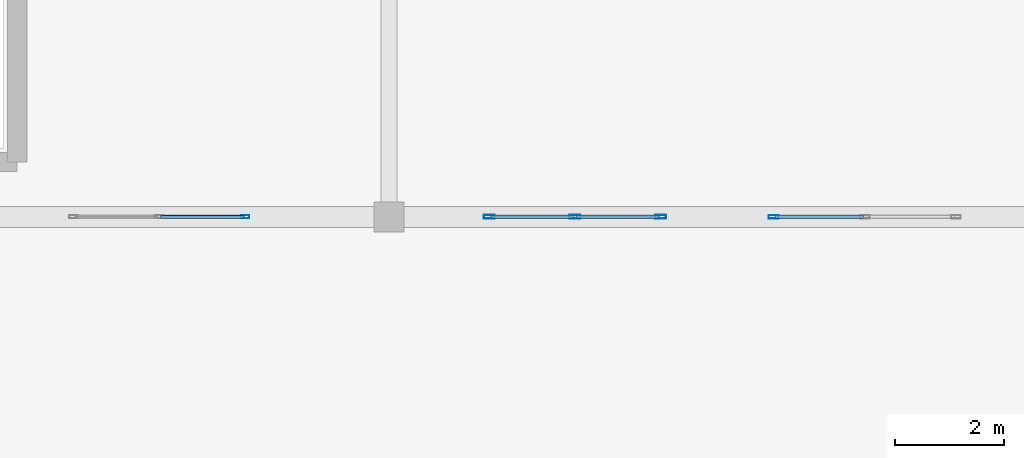
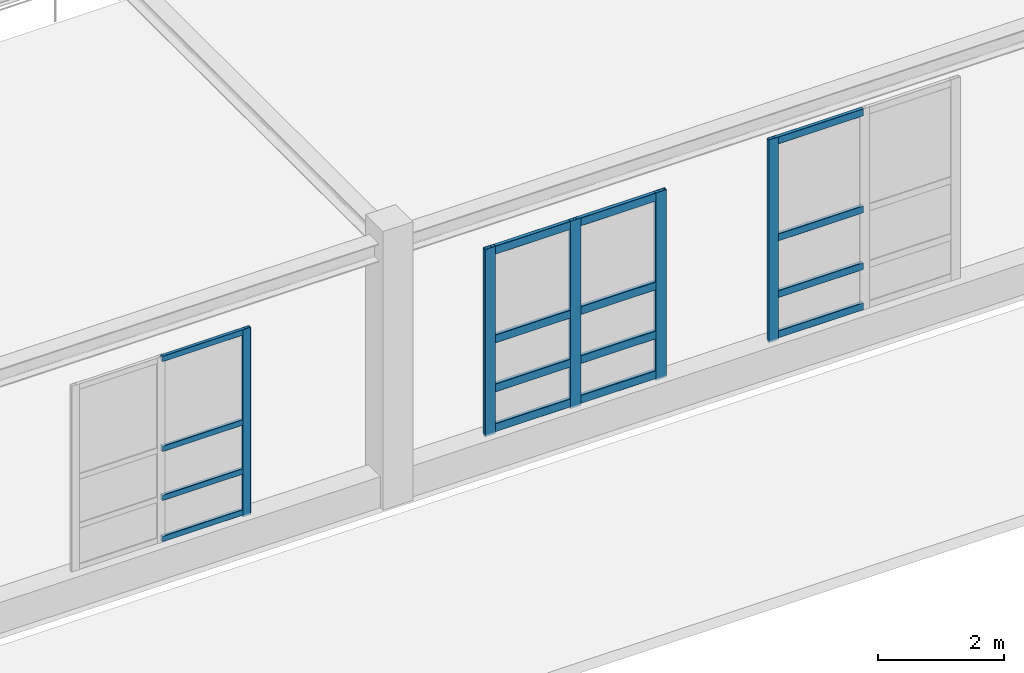
# One storey, part 48 of 197: 21 members, 3 elements without a shape of their own.
"""IFC4 building model written with IfcOpenShell, lengths in metres."""

from ifc_helpers import new_model, si_unit, derived_unit, direction, frame, origin, origin_2d, place, context, subcontext, project, spatial, hollow_rectangle, extrude, material, layer, layer_set, material_profile, profile_set, type_object, element, aggregate, save


model = new_model("IFC4")

# Units and contexts
model_context = context("Model", 3, precision=1e-05, world=origin(), true_north=direction((0.0, 1.0)))
body_context = subcontext(model_context, "Body", "Model", "MODEL_VIEW")
ifc_project = project(units=[si_unit("LENGTHUNIT", "METRE"), si_unit("AREAUNIT", "SQUARE_METRE"), si_unit("VOLUMEUNIT", "CUBIC_METRE"), si_unit("PLANEANGLEUNIT", "RADIAN"), si_unit("MASSUNIT", "GRAM", prefix="KILO"), derived_unit("THERMALTRANSMITTANCEUNIT", [(si_unit("POWERUNIT", "WATT"), 1), (si_unit("LENGTHUNIT", "METRE"), -2), (si_unit("THERMODYNAMICTEMPERATUREUNIT", "KELVIN"), -1)])], contexts=[model_context])

# Site, building, storey
site_placement = place(None, origin())
site = spatial("IfcSite", under=ifc_project, at=site_placement, CompositionType="ELEMENT")
building_placement = place(site_placement, origin())
building = spatial("IfcBuilding", under=site, at=building_placement, Name="Almenara Railside Exhibition Hall", CompositionType="ELEMENT")
storey_placement = place(building_placement, frame((0.0, 0.0, 5.39990234375)))
storey = spatial("IfcBuildingStorey", under=building, at=storey_placement, Name="L01", CompositionType="ELEMENT", Elevation=5.39990234375)

# Curtain wall, member
ifc_material_1 = material(Name="Bronze-anodised aluminium and low-E double glazing", Category="aluminium")
ifc_layer_1 = layer(ifc_material_1, 0.179931640625, Name="Bronze-anodised aluminium and low-E double glazing")
ifc_layer_set_1 = layer_set([ifc_layer_1], Name="Bronze-anodised aluminium and low-E double glazing")
curtain_wall_type_1 = type_object("IfcCurtainWallType", Name="Concourse Bridge Curtain Wall 3200x3600", PredefinedType="NOTDEFINED", material=ifc_layer_set_1)
curtain_wall_1_placement = place(storey_placement, origin())
curtain_wall_1 = element("IfcCurtainWall", 1, at=curtain_wall_1_placement, inside=storey, type_object=curtain_wall_type_1, Name="Curtain wall CW-PC3-121", PredefinedType="NOTDEFINED")
ifc_material_2 = material(Name="Bronze-anodised aluminium", Category="aluminium")
ifc_material_profile_1 = material_profile(ifc_material_2, hollow_rectangle(XDim=0.06005859375, YDim=0.14990234375, WallThickness=0.00341796875, InnerFilletRadius=0.00341796875, OuterFilletRadius=0.007080078125, at=origin_2d()), Name="ALU-MUL 60x150x3.5")
ifc_profile_set_1 = profile_set([ifc_material_profile_1], Name="Bronze-anodised aluminium")
member_type_1 = type_object("IfcMemberType", Name="Curtain Wall Mullion 60x150x3.5", PredefinedType="MULLION", material=ifc_profile_set_1)
member_1_placement = place(storey_placement, frame((81.3701171875, 36.0, 0.565185546875), z_axis=(0.0, 0.0, 1.0), x_axis=(0.0, 1.0, 0.0)))
member_1 = element("IfcMember", 2, at=member_1_placement, type_object=member_type_1, Name="CW-PC3-121 mullion 3", PredefinedType="MULLION", context=body_context, shape_type="SweptSolid", body=[
    extrude(hollow_rectangle(XDim=0.06005859375, YDim=0.14990234375, WallThickness=0.00341796875, InnerFilletRadius=0.00341796875, OuterFilletRadius=0.007080078125, at=origin_2d()), origin(), (0.0, 0.0, 1.0), 3.635009765625),
])

ifc_layer_2 = layer(ifc_material_1, 0.179931640625, Name="Bronze-anodised aluminium and low-E double glazing")
ifc_layer_set_2 = layer_set([ifc_layer_2], Name="Bronze-anodised aluminium and low-E double glazing")
curtain_wall_type_2 = type_object("IfcCurtainWallType", Name="Concourse Upper Portale Curtain Wall 3400x3900", PredefinedType="NOTDEFINED", material=ifc_layer_set_2)
curtain_wall_2_placement = place(storey_placement, origin())
curtain_wall_2 = element("IfcCurtainWall", 3, at=curtain_wall_2_placement, inside=storey, type_object=curtain_wall_type_2, Name="Curtain wall CW-PC2-128", PredefinedType="NOTDEFINED")
ifc_material_profile_2 = material_profile(ifc_material_2, hollow_rectangle(XDim=0.06494140625, YDim=0.179931640625, WallThickness=0.00390625, InnerFilletRadius=0.00390625, OuterFilletRadius=0.008056640625, at=origin_2d()), Name="ALU-MUL 65x180x4")
ifc_profile_set_2 = profile_set([ifc_material_profile_2], Name="Bronze-anodised aluminium")
member_type_2 = type_object("IfcMemberType", Name="Curtain Wall Mullion 65x180x4", PredefinedType="MULLION", material=ifc_profile_set_2)
member_2_placement = place(storey_placement, frame((91.032470703125, 36.0, 0.565185546875), z_axis=(0.0, 0.0, 1.0), x_axis=(0.0, 1.0, 0.0)))
member_2 = element("IfcMember", 4, at=member_2_placement, type_object=member_type_2, Name="CW-PC2-128 mullion 1", PredefinedType="MULLION", context=body_context, shape_type="SweptSolid", body=[
    extrude(hollow_rectangle(XDim=0.06494140625, YDim=0.179931640625, WallThickness=0.00390625, InnerFilletRadius=0.00390625, OuterFilletRadius=0.008056640625, at=origin_2d()), origin(), (0.0, 0.0, 1.0), 3.934814453125),
])

# Curtain wall, members
curtain_wall_3_placement = place(storey_placement, origin())
curtain_wall_3 = element("IfcCurtainWall", 5, at=curtain_wall_3_placement, inside=storey, type_object=curtain_wall_type_1, Name="Curtain wall CW-PC3-127", PredefinedType="NOTDEFINED")
ifc_material_profile_3 = material_profile(ifc_material_2, hollow_rectangle(XDim=0.070068359375, YDim=0.199951171875, WallThickness=0.00439453125, InnerFilletRadius=0.00439453125, OuterFilletRadius=0.009033203125, at=origin_2d()), Name="ALU-MUL 70x200x4.5")
ifc_profile_set_3 = profile_set([ifc_material_profile_3], Name="Bronze-anodised aluminium")
member_type_3 = type_object("IfcMemberType", Name="Curtain Wall Mullion 70x200x4.5", PredefinedType="MULLION", material=ifc_profile_set_3)
member_3_placement = place(storey_placement, frame((85.8349609375, 36.0, 0.565185546875), z_axis=(0.0, 0.0, 1.0), x_axis=(0.0, 1.0, 0.0)))
member_3 = element("IfcMember", 6, at=member_3_placement, type_object=member_type_3, Name="CW-PC3-127 mullion 1", PredefinedType="MULLION", context=body_context, shape_type="SweptSolid", body=[
    extrude(hollow_rectangle(XDim=0.070068359375, YDim=0.199951171875, WallThickness=0.00439453125, InnerFilletRadius=0.00439453125, OuterFilletRadius=0.009033203125, at=origin_2d()), origin(), (0.0, 0.0, 1.0), 3.635009765625),
])
member_4_placement = place(storey_placement, frame((87.39990234375, 36.0, 0.565185546875), z_axis=(0.0, 0.0, 1.0), x_axis=(0.0, 1.0, 0.0)))
member_4 = element("IfcMember", 7, at=member_4_placement, type_object=member_type_3, Name="CW-PC3-127 mullion 2", PredefinedType="MULLION", context=body_context, shape_type="SweptSolid", body=[
    extrude(hollow_rectangle(XDim=0.070068359375, YDim=0.199951171875, WallThickness=0.00439453125, InnerFilletRadius=0.00439453125, OuterFilletRadius=0.009033203125, at=origin_2d()), origin(), (0.0, 0.0, 1.0), 3.635009765625),
])
member_5_placement = place(storey_placement, frame((88.965087890625, 36.0, 0.565185546875), z_axis=(0.0, 0.0, 1.0), x_axis=(0.0, 1.0, 0.0)))
member_5 = element("IfcMember", 8, at=member_5_placement, type_object=member_type_3, Name="CW-PC3-127 mullion 3", PredefinedType="MULLION", context=body_context, shape_type="SweptSolid", body=[
    extrude(hollow_rectangle(XDim=0.070068359375, YDim=0.199951171875, WallThickness=0.00439453125, InnerFilletRadius=0.00439453125, OuterFilletRadius=0.009033203125, at=origin_2d()), origin(), (0.0, 0.0, 1.0), 3.635009765625),
])

# Member
ifc_material_profile_4 = material_profile(ifc_material_2, hollow_rectangle(XDim=0.06005859375, YDim=0.110107421875, WallThickness=0.0029296875, InnerFilletRadius=0.0029296875, OuterFilletRadius=0.006103515625, at=origin_2d()), Name="ALU-TRN 60x110x3")
ifc_profile_set_4 = profile_set([ifc_material_profile_4], Name="Bronze-anodised aluminium")
member_type_4 = type_object("IfcMemberType", Name="Curtain Wall Transom 60x110x3", PredefinedType="USERDEFINED", material=ifc_profile_set_4)
member_6_placement = place(storey_placement, frame((79.822021484375, 36.0, 0.655029296875), z_axis=(1.0, 0.0, 0.0), x_axis=(0.0, 1.0, 0.0)))
member_6 = element("IfcMember", 9, at=member_6_placement, type_object=member_type_4, Name="CW-PC3-121 transom 2.1", ObjectType="TRANSOM", PredefinedType="USERDEFINED", context=body_context, shape_type="SweptSolid", body=[
    extrude(hollow_rectangle(XDim=0.06005859375, YDim=0.110107421875, WallThickness=0.0029296875, InnerFilletRadius=0.0029296875, OuterFilletRadius=0.006103515625, at=origin_2d()), origin(), (0.0, 0.0, 1.0), 1.52587890625),
])

member_7_placement = place(storey_placement, frame((79.822021484375, 36.0, 1.4501953125), z_axis=(1.0, 0.0, 0.0), x_axis=(0.0, 1.0, 0.0)))
member_7 = element("IfcMember", 10, at=member_7_placement, type_object=member_type_4, Name="CW-PC3-121 transom 2.2", ObjectType="TRANSOM", PredefinedType="USERDEFINED", context=body_context, shape_type="SweptSolid", body=[
    extrude(hollow_rectangle(XDim=0.06005859375, YDim=0.110107421875, WallThickness=0.0029296875, InnerFilletRadius=0.0029296875, OuterFilletRadius=0.006103515625, at=origin_2d()), origin(), (0.0, 0.0, 1.0), 1.52587890625),
])

member_8_placement = place(storey_placement, frame((79.822021484375, 36.0, 2.400146484375), z_axis=(1.0, 0.0, 0.0), x_axis=(0.0, 1.0, 0.0)))
member_8 = element("IfcMember", 11, at=member_8_placement, type_object=member_type_4, Name="CW-PC3-121 transom 2.3", ObjectType="TRANSOM", PredefinedType="USERDEFINED", context=body_context, shape_type="SweptSolid", body=[
    extrude(hollow_rectangle(XDim=0.06005859375, YDim=0.110107421875, WallThickness=0.0029296875, InnerFilletRadius=0.0029296875, OuterFilletRadius=0.006103515625, at=origin_2d()), origin(), (0.0, 0.0, 1.0), 1.52587890625),
])

member_9_placement = place(storey_placement, frame((79.822021484375, 36.0, 4.14501953125), z_axis=(1.0, 0.0, 0.0), x_axis=(0.0, 1.0, 0.0)))
member_9 = element("IfcMember", 12, at=member_9_placement, type_object=member_type_4, Name="CW-PC3-121 transom 2.4", ObjectType="TRANSOM", PredefinedType="USERDEFINED", context=body_context, shape_type="SweptSolid", body=[
    extrude(hollow_rectangle(XDim=0.06005859375, YDim=0.110107421875, WallThickness=0.0029296875, InnerFilletRadius=0.0029296875, OuterFilletRadius=0.006103515625, at=origin_2d()), origin(), (0.0, 0.0, 1.0), 1.52587890625),
])

aggregate(curtain_wall_1, [member_1, member_6, member_7, member_8, member_9])

ifc_material_profile_5 = material_profile(ifc_material_2, hollow_rectangle(XDim=0.06494140625, YDim=0.139892578125, WallThickness=0.00341796875, InnerFilletRadius=0.00341796875, OuterFilletRadius=0.007080078125, at=origin_2d()), Name="ALU-TRN 65x140x3.5")
ifc_profile_set_5 = profile_set([ifc_material_profile_5], Name="Bronze-anodised aluminium")
member_type_5 = type_object("IfcMemberType", Name="Curtain Wall Transom 65x140x3.5", PredefinedType="USERDEFINED", material=ifc_profile_set_5)
member_10_placement = place(storey_placement, frame((91.056884765625, 36.0, 0.670166015625), z_axis=(1.0, 0.0, 0.0), x_axis=(0.0, 1.0, 0.0)))
member_10 = element("IfcMember", 13, at=member_10_placement, type_object=member_type_5, Name="CW-PC2-128 transom 1.1", ObjectType="TRANSOM", PredefinedType="USERDEFINED", context=body_context, shape_type="SweptSolid", body=[
    extrude(hollow_rectangle(XDim=0.06494140625, YDim=0.139892578125, WallThickness=0.00341796875, InnerFilletRadius=0.00341796875, OuterFilletRadius=0.007080078125, at=origin_2d()), origin(), (0.0, 0.0, 1.0), 1.61865234375),
])

member_11_placement = place(storey_placement, frame((91.056884765625, 36.0, 1.4501953125), z_axis=(1.0, 0.0, 0.0), x_axis=(0.0, 1.0, 0.0)))
member_11 = element("IfcMember", 14, at=member_11_placement, type_object=member_type_5, Name="CW-PC2-128 transom 1.2", ObjectType="TRANSOM", PredefinedType="USERDEFINED", context=body_context, shape_type="SweptSolid", body=[
    extrude(hollow_rectangle(XDim=0.06494140625, YDim=0.139892578125, WallThickness=0.00341796875, InnerFilletRadius=0.00341796875, OuterFilletRadius=0.007080078125, at=origin_2d()), origin(), (0.0, 0.0, 1.0), 1.61865234375),
])

member_12_placement = place(storey_placement, frame((91.056884765625, 36.0, 2.550048828125), z_axis=(1.0, 0.0, 0.0), x_axis=(0.0, 1.0, 0.0)))
member_12 = element("IfcMember", 15, at=member_12_placement, type_object=member_type_5, Name="CW-PC2-128 transom 1.3", ObjectType="TRANSOM", PredefinedType="USERDEFINED", context=body_context, shape_type="SweptSolid", body=[
    extrude(hollow_rectangle(XDim=0.06494140625, YDim=0.139892578125, WallThickness=0.00341796875, InnerFilletRadius=0.00341796875, OuterFilletRadius=0.007080078125, at=origin_2d()), origin(), (0.0, 0.0, 1.0), 1.61865234375),
])

member_13_placement = place(storey_placement, frame((91.056884765625, 36.0, 4.43017578125), z_axis=(1.0, 0.0, 0.0), x_axis=(0.0, 1.0, 0.0)))
member_13 = element("IfcMember", 16, at=member_13_placement, type_object=member_type_5, Name="CW-PC2-128 transom 1.4", ObjectType="TRANSOM", PredefinedType="USERDEFINED", context=body_context, shape_type="SweptSolid", body=[
    extrude(hollow_rectangle(XDim=0.06494140625, YDim=0.139892578125, WallThickness=0.00341796875, InnerFilletRadius=0.00341796875, OuterFilletRadius=0.007080078125, at=origin_2d()), origin(), (0.0, 0.0, 1.0), 1.61865234375),
])

aggregate(curtain_wall_2, [member_2, member_10, member_11, member_12, member_13])

ifc_material_profile_6 = material_profile(ifc_material_2, hollow_rectangle(XDim=0.070068359375, YDim=0.159912109375, WallThickness=0.00390625, InnerFilletRadius=0.00390625, OuterFilletRadius=0.008056640625, at=origin_2d()), Name="ALU-TRN 70x160x4")
ifc_profile_set_6 = profile_set([ifc_material_profile_6], Name="Bronze-anodised aluminium")
member_type_6 = type_object("IfcMemberType", Name="Curtain Wall Transom 70x160x4", PredefinedType="USERDEFINED", material=ifc_profile_set_6)
member_14_placement = place(storey_placement, frame((85.862060546875, 36.0, 0.68017578125), z_axis=(1.0, 0.0, 0.0), x_axis=(0.0, 1.0, 0.0)))
member_14 = element("IfcMember", 17, at=member_14_placement, type_object=member_type_6, Name="CW-PC3-127 transom 1.1", ObjectType="TRANSOM", PredefinedType="USERDEFINED", context=body_context, shape_type="SweptSolid", body=[
    extrude(hollow_rectangle(XDim=0.070068359375, YDim=0.159912109375, WallThickness=0.00390625, InnerFilletRadius=0.00390625, OuterFilletRadius=0.008056640625, at=origin_2d()), origin(), (0.0, 0.0, 1.0), 1.510986328125),
])

member_15_placement = place(storey_placement, frame((85.862060546875, 36.0, 1.4501953125), z_axis=(1.0, 0.0, 0.0), x_axis=(0.0, 1.0, 0.0)))
member_15 = element("IfcMember", 18, at=member_15_placement, type_object=member_type_6, Name="CW-PC3-127 transom 1.2", ObjectType="TRANSOM", PredefinedType="USERDEFINED", context=body_context, shape_type="SweptSolid", body=[
    extrude(hollow_rectangle(XDim=0.070068359375, YDim=0.159912109375, WallThickness=0.00390625, InnerFilletRadius=0.00390625, OuterFilletRadius=0.008056640625, at=origin_2d()), origin(), (0.0, 0.0, 1.0), 1.510986328125),
])

member_16_placement = place(storey_placement, frame((85.862060546875, 36.0, 2.400146484375), z_axis=(1.0, 0.0, 0.0), x_axis=(0.0, 1.0, 0.0)))
member_16 = element("IfcMember", 19, at=member_16_placement, type_object=member_type_6, Name="CW-PC3-127 transom 1.3", ObjectType="TRANSOM", PredefinedType="USERDEFINED", context=body_context, shape_type="SweptSolid", body=[
    extrude(hollow_rectangle(XDim=0.070068359375, YDim=0.159912109375, WallThickness=0.00390625, InnerFilletRadius=0.00390625, OuterFilletRadius=0.008056640625, at=origin_2d()), origin(), (0.0, 0.0, 1.0), 1.510986328125),
])

member_17_placement = place(storey_placement, frame((85.862060546875, 36.0, 4.1201171875), z_axis=(1.0, 0.0, 0.0), x_axis=(0.0, 1.0, 0.0)))
member_17 = element("IfcMember", 20, at=member_17_placement, type_object=member_type_6, Name="CW-PC3-127 transom 1.4", ObjectType="TRANSOM", PredefinedType="USERDEFINED", context=body_context, shape_type="SweptSolid", body=[
    extrude(hollow_rectangle(XDim=0.070068359375, YDim=0.159912109375, WallThickness=0.00390625, InnerFilletRadius=0.00390625, OuterFilletRadius=0.008056640625, at=origin_2d()), origin(), (0.0, 0.0, 1.0), 1.510986328125),
])

member_18_placement = place(storey_placement, frame((87.427001953125, 36.0, 0.68017578125), z_axis=(1.0, 0.0, 0.0), x_axis=(0.0, 1.0, 0.0)))
member_18 = element("IfcMember", 21, at=member_18_placement, type_object=member_type_6, Name="CW-PC3-127 transom 2.1", ObjectType="TRANSOM", PredefinedType="USERDEFINED", context=body_context, shape_type="SweptSolid", body=[
    extrude(hollow_rectangle(XDim=0.070068359375, YDim=0.159912109375, WallThickness=0.00390625, InnerFilletRadius=0.00390625, OuterFilletRadius=0.008056640625, at=origin_2d()), origin(), (0.0, 0.0, 1.0), 1.510986328125),
])

member_19_placement = place(storey_placement, frame((87.427001953125, 36.0, 1.4501953125), z_axis=(1.0, 0.0, 0.0), x_axis=(0.0, 1.0, 0.0)))
member_19 = element("IfcMember", 22, at=member_19_placement, type_object=member_type_6, Name="CW-PC3-127 transom 2.2", ObjectType="TRANSOM", PredefinedType="USERDEFINED", context=body_context, shape_type="SweptSolid", body=[
    extrude(hollow_rectangle(XDim=0.070068359375, YDim=0.159912109375, WallThickness=0.00390625, InnerFilletRadius=0.00390625, OuterFilletRadius=0.008056640625, at=origin_2d()), origin(), (0.0, 0.0, 1.0), 1.510986328125),
])

member_20_placement = place(storey_placement, frame((87.427001953125, 36.0, 2.400146484375), z_axis=(1.0, 0.0, 0.0), x_axis=(0.0, 1.0, 0.0)))
member_20 = element("IfcMember", 23, at=member_20_placement, type_object=member_type_6, Name="CW-PC3-127 transom 2.3", ObjectType="TRANSOM", PredefinedType="USERDEFINED", context=body_context, shape_type="SweptSolid", body=[
    extrude(hollow_rectangle(XDim=0.070068359375, YDim=0.159912109375, WallThickness=0.00390625, InnerFilletRadius=0.00390625, OuterFilletRadius=0.008056640625, at=origin_2d()), origin(), (0.0, 0.0, 1.0), 1.510986328125),
])

member_21_placement = place(storey_placement, frame((87.427001953125, 36.0, 4.1201171875), z_axis=(1.0, 0.0, 0.0), x_axis=(0.0, 1.0, 0.0)))
member_21 = element("IfcMember", 24, at=member_21_placement, type_object=member_type_6, Name="CW-PC3-127 transom 2.4", ObjectType="TRANSOM", PredefinedType="USERDEFINED", context=body_context, shape_type="SweptSolid", body=[
    extrude(hollow_rectangle(XDim=0.070068359375, YDim=0.159912109375, WallThickness=0.00390625, InnerFilletRadius=0.00390625, OuterFilletRadius=0.008056640625, at=origin_2d()), origin(), (0.0, 0.0, 1.0), 1.510986328125),
])

aggregate(curtain_wall_3, [member_3, member_4, member_5, member_14, member_15, member_16, member_17, member_18, member_19, member_20, member_21])

save(model, "model.ifc")
